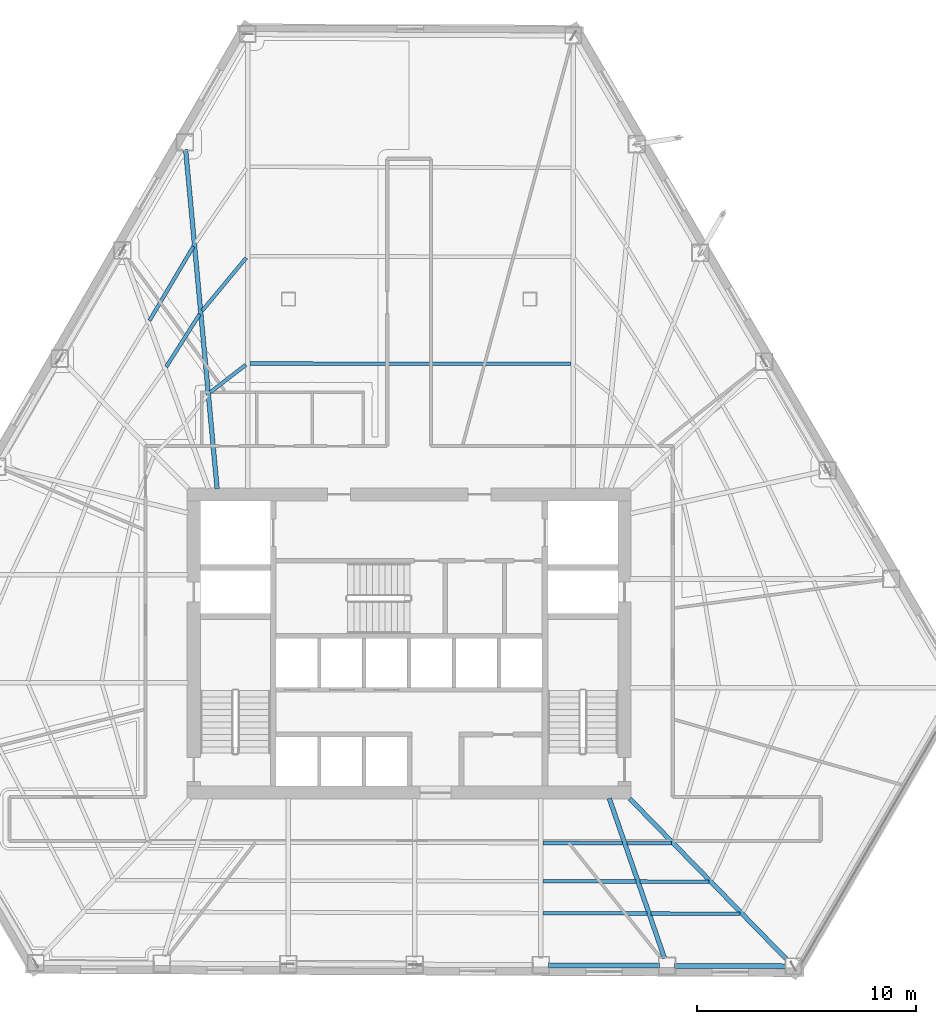
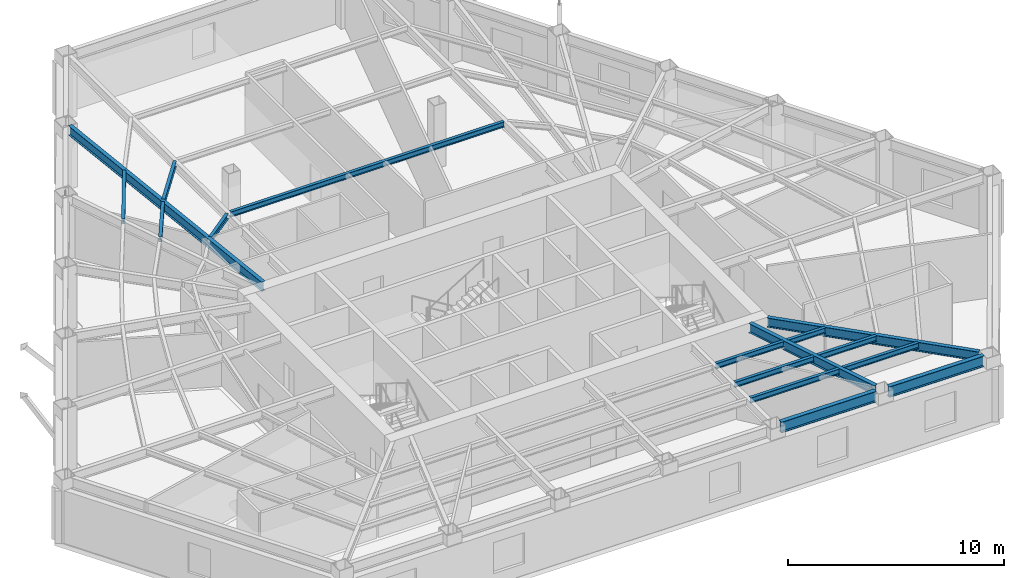
# One storey, part 2 of 14: 16 beams.
"""IFC4 building model written with IfcOpenShell, lengths in metres."""

from ifc_helpers import new_model, si_unit, direction, frame, origin, origin_2d, place, context, subcontext, project, spatial, i_section, extrude, material, material_profile, profile_set, type_object, element, save


model = new_model("IFC4")

# Units and contexts
model_context = context("Model", 3, precision=1e-05, world=origin(), true_north=direction((0.0, 1.0)))
body_context = subcontext(model_context, "Body", "Model", "MODEL_VIEW")
ifc_project = project(units=[si_unit("LENGTHUNIT", "METRE"), si_unit("AREAUNIT", "SQUARE_METRE"), si_unit("VOLUMEUNIT", "CUBIC_METRE"), si_unit("PLANEANGLEUNIT", "RADIAN"), si_unit("MASSUNIT", "GRAM", prefix="KILO")], contexts=[model_context])

# Site, building, storey
site_placement = place(None, origin())
site = spatial("IfcSite", under=ifc_project, at=site_placement, CompositionType="ELEMENT")
building_placement = place(site_placement, origin())
building = spatial("IfcBuilding", under=site, at=building_placement, Name="Kavelnor Concourse Tower", CompositionType="ELEMENT")
storey_placement = place(building_placement, frame((0.0, 0.0, 52.199951171875)))
storey = spatial("IfcBuildingStorey", under=building, at=storey_placement, Name="L13", CompositionType="ELEMENT", Elevation=52.199951171875)

# Beams
ifc_material = material(Name="Steel Grade 350", Category="steel")
ifc_material_profile_1 = material_profile(ifc_material, i_section(OverallWidth=0.166015625, OverallDepth=0.306884765625, WebThickness=0.006591796875, FlangeThickness=0.01171875, at=origin_2d()), Name="310UB46")
ifc_profile_set_1 = profile_set([ifc_material_profile_1], Name="Steel Grade 350")
beam_type_1 = type_object("IfcBeamType", Name="BM-JOIST-310", PredefinedType="JOIST", material=ifc_profile_set_1)
beam_1_placement = place(storey_placement, frame((44.102783203125, 7.0048828125, 3.4365234375), z_axis=(0.999997825779, -0.002085290771, 0.0), x_axis=(0.002085290771, 0.999997825779, 0.0)))
element("IfcBeam", 1, at=beam_1_placement, inside=storey, type_object=beam_type_1, Name="L13 Secondary Composite Joist 06-1", PredefinedType="JOIST", context=body_context, shape_type="SweptSolid", body=[
    extrude(i_section(OverallWidth=0.166015625, OverallDepth=0.306884765625, WebThickness=0.006591796875, FlangeThickness=0.01171875, at=origin_2d()), origin(), (0.0, 0.0, 1.0), 3.62939453125),
])
beam_2_placement = place(storey_placement, frame((44.102783203125, 5.260498046875, 3.4365234375), z_axis=(0.999995675766, -0.002940824557, 0.0), x_axis=(0.002940824557, 0.999995675766, 0.0)))
element("IfcBeam", 2, at=beam_2_placement, inside=storey, type_object=beam_type_1, Name="L13 Secondary Composite Joist 06-2", PredefinedType="JOIST", context=body_context, shape_type="SweptSolid", body=[
    extrude(i_section(OverallWidth=0.166015625, OverallDepth=0.306884765625, WebThickness=0.006591796875, FlangeThickness=0.01171875, at=origin_2d()), origin(), (0.0, 0.0, 1.0), 4.23388671875),
])
beam_3_placement = place(storey_placement, frame((44.102783203125, 3.806640625, 3.4365234375), z_axis=(0.999994039421, -0.003452697791, 0.0), x_axis=(0.003452697791, 0.999994039421, 0.0)))
element("IfcBeam", 3, at=beam_3_placement, inside=storey, type_object=beam_type_1, Name="L13 Secondary Composite Joist 06-3", PredefinedType="JOIST", context=body_context, shape_type="SweptSolid", body=[
    extrude(i_section(OverallWidth=0.166015625, OverallDepth=0.306884765625, WebThickness=0.006591796875, FlangeThickness=0.01171875, at=origin_2d()), origin(), (0.0, 0.0, 1.0), 4.737548828125),
])
beam_4_placement = place(storey_placement, frame((47.92919921875, 6.99658203125, 3.4365234375), z_axis=(0.99998775244, -0.004949239238, 0.0), x_axis=(0.004949239238, 0.99998775244, 0.0)))
element("IfcBeam", 4, at=beam_4_placement, inside=storey, type_object=beam_type_1, Name="L13 Secondary Composite Joist 07-1", PredefinedType="JOIST", context=body_context, shape_type="SweptSolid", body=[
    extrude(i_section(OverallWidth=0.166015625, OverallDepth=0.306884765625, WebThickness=0.006591796875, FlangeThickness=0.01171875, at=origin_2d()), origin(), (0.0, 0.0, 1.0), 2.0224609375),
])
beam_5_placement = place(storey_placement, frame((48.53369140625, 5.247314453125, 3.4365234375), z_axis=(0.999992978701, -0.003747338823, 0.0), x_axis=(0.003747338823, 0.999992978701, 0.0)))
element("IfcBeam", 5, at=beam_5_placement, inside=storey, type_object=beam_type_1, Name="L13 Secondary Composite Joist 07-2", PredefinedType="JOIST", context=body_context, shape_type="SweptSolid", body=[
    extrude(i_section(OverallWidth=0.166015625, OverallDepth=0.306884765625, WebThickness=0.006591796875, FlangeThickness=0.01171875, at=origin_2d()), origin(), (0.0, 0.0, 1.0), 3.127197265625),
])
beam_6_placement = place(storey_placement, frame((49.037353515625, 3.789794921875, 3.4365234375), z_axis=(0.999994696226, -0.003256918793, 0.0), x_axis=(0.003256918793, 0.999994696226, 0.0)))
element("IfcBeam", 6, at=beam_6_placement, inside=storey, type_object=beam_type_1, Name="L13 Secondary Composite Joist 07-3", PredefinedType="JOIST", context=body_context, shape_type="SweptSolid", body=[
    extrude(i_section(OverallWidth=0.166015625, OverallDepth=0.306884765625, WebThickness=0.006591796875, FlangeThickness=0.01171875, at=origin_2d()), origin(), (0.0, 0.0, 1.0), 4.0478515625),
])
beam_7_placement = place(storey_placement, frame((45.382568359375, 28.85009765625, 3.4365234375), z_axis=(-0.999999260035, 0.001216523839, 0.0), x_axis=(-0.001216523839, -0.999999260035, 0.0)))
element("IfcBeam", 7, at=beam_7_placement, inside=storey, type_object=beam_type_1, Name="L13 Secondary Composite Joist 15-1", PredefinedType="JOIST", context=body_context, shape_type="SweptSolid", body=[
    extrude(i_section(OverallWidth=0.166015625, OverallDepth=0.306884765625, WebThickness=0.006591796875, FlangeThickness=0.01171875, at=origin_2d()), origin(), (0.0, 0.0, 1.0), 14.650146484375),
])
beam_8_placement = place(storey_placement, frame((30.555908203125, 28.807861328125, 3.4365234375), z_axis=(-0.792170983595, -0.610299215754, 0.0), x_axis=(0.610299215754, -0.792170983595, 0.0)))
element("IfcBeam", 8, at=beam_8_placement, inside=storey, type_object=beam_type_1, Name="L13 Secondary Composite Joist 16-1", PredefinedType="JOIST", context=body_context, shape_type="SweptSolid", body=[
    extrude(i_section(OverallWidth=0.166015625, OverallDepth=0.306884765625, WebThickness=0.006591796875, FlangeThickness=0.01171875, at=origin_2d()), origin(), (0.0, 0.0, 1.0), 2.064697265625),
])
beam_9_placement = place(storey_placement, frame((30.57080078125, 33.684814453125, 3.4365234375), z_axis=(-0.640123209161, -0.768272267555, 0.0), x_axis=(0.768272267555, -0.640123209161, 0.0)))
element("IfcBeam", 9, at=beam_9_placement, inside=storey, type_object=beam_type_1, Name="L13 Secondary Composite Joist 16-2", PredefinedType="JOIST", context=body_context, shape_type="SweptSolid", body=[
    extrude(i_section(OverallWidth=0.166015625, OverallDepth=0.306884765625, WebThickness=0.006591796875, FlangeThickness=0.01171875, at=origin_2d()), origin(), (0.0, 0.0, 1.0), 3.1396484375),
])
beam_10_placement = place(storey_placement, frame((28.4453125, 31.11376953125, 3.4365234375), z_axis=(-0.53572303517, -0.844393764537, 0.0), x_axis=(0.844393764537, -0.53572303517, 0.0)))
element("IfcBeam", 10, at=beam_10_placement, inside=storey, type_object=beam_type_1, Name="L13 Secondary Composite Joist 17-2", PredefinedType="JOIST", context=body_context, shape_type="SweptSolid", body=[
    extrude(i_section(OverallWidth=0.166015625, OverallDepth=0.306884765625, WebThickness=0.006591796875, FlangeThickness=0.01171875, at=origin_2d()), origin(), (0.0, 0.0, 1.0), 2.838623046875),
])
beam_11_placement = place(storey_placement, frame((28.160888671875, 34.203369140625, 3.4365234375), z_axis=(-0.509194077299, -0.860651724941, 0.0), x_axis=(0.860651724941, -0.509194077299, 0.0)))
element("IfcBeam", 11, at=beam_11_placement, inside=storey, type_object=beam_type_1, Name="L13 Secondary Composite Joist 17-3", PredefinedType="JOIST", context=body_context, shape_type="SweptSolid", body=[
    extrude(i_section(OverallWidth=0.166015625, OverallDepth=0.306884765625, WebThickness=0.006591796875, FlangeThickness=0.01171875, at=origin_2d()), origin(), (0.0, 0.0, 1.0), 3.92822265625),
])
ifc_material_profile_2 = material_profile(ifc_material, i_section(OverallWidth=0.208984375, OverallDepth=0.528076171875, WebThickness=0.009521484375, FlangeThickness=0.01318359375, at=origin_2d()), Name="530UB82")
ifc_profile_set_2 = profile_set([ifc_material_profile_2], Name="Steel Grade 350")
beam_type_2 = type_object("IfcBeamType", Name="BM-PRIMARY-530", PredefinedType="BEAM", material=ifc_profile_set_2)
beam_12_placement = place(storey_placement, frame((29.244384765625, 23.16015625, 3.325927734375), z_axis=(-0.09246996717, 0.995715474004, 0.0), x_axis=(-0.995715474004, -0.09246996717, 0.0)))
element("IfcBeam", 12, at=beam_12_placement, inside=storey, type_object=beam_type_2, Name="L13 Primary Floor Girder F0-B1", PredefinedType="BEAM", context=body_context, shape_type="SweptSolid", body=[
    extrude(i_section(OverallWidth=0.208984375, OverallDepth=0.528076171875, WebThickness=0.009521484375, FlangeThickness=0.01318359375, at=origin_2d()), origin(), (0.0, 0.0, 1.0), 15.521728515625),
])
beam_13_placement = place(storey_placement, frame((47.125244140625, 9.037841796875, 3.325927734375), z_axis=(0.326627729198, -0.945153070417, 0.0), x_axis=(0.945153070417, 0.326627729198, 0.0)))
element("IfcBeam", 13, at=beam_13_placement, inside=storey, type_object=beam_type_2, Name="L13 Primary Floor Girder F1-B5", PredefinedType="BEAM", context=body_context, shape_type="SweptSolid", body=[
    extrude(i_section(OverallWidth=0.208984375, OverallDepth=0.528076171875, WebThickness=0.009521484375, FlangeThickness=0.01318359375, at=origin_2d()), origin(), (0.0, 0.0, 1.0), 7.71142578125),
])
beam_14_placement = place(storey_placement, frame((48.056396484375, 9.028564453125, 3.325927734375), z_axis=(0.698529717474, -0.715581046288, 0.0), x_axis=(0.715581046288, 0.698529717474, 0.0)))
element("IfcBeam", 14, at=beam_14_placement, inside=storey, type_object=beam_type_2, Name="L13 Primary Floor Girder F1-B6", PredefinedType="BEAM", context=body_context, shape_type="SweptSolid", body=[
    extrude(i_section(OverallWidth=0.208984375, OverallDepth=0.528076171875, WebThickness=0.009521484375, FlangeThickness=0.01318359375, at=origin_2d()), origin(), (0.0, 0.0, 1.0), 10.1943359375),
])
ifc_material_profile_3 = material_profile(ifc_material, i_section(OverallWidth=0.22900390625, OverallDepth=0.612060546875, WebThickness=0.011962890625, FlangeThickness=0.01953125, at=origin_2d()), Name="610UB125")
ifc_profile_set_3 = profile_set([ifc_material_profile_3], Name="Steel Grade 350")
beam_type_3 = type_object("IfcBeamType", Name="BM-SPANDREL-Z1", PredefinedType="SPANDREL", material=ifc_profile_set_3)
beam_15_placement = place(storey_placement, frame((44.34912109375, 1.430419921875, 3.283935546875), z_axis=(0.999990810554, -0.004287051163, 0.0), x_axis=(0.004287051163, 0.999990810554, 0.0)))
element("IfcBeam", 15, at=beam_15_placement, inside=storey, type_object=beam_type_3, Name="L13 Perimeter Tube Spandrel Beam F1-B4", PredefinedType="SPANDREL", context=body_context, shape_type="SweptSolid", body=[
    extrude(i_section(OverallWidth=0.22900390625, OverallDepth=0.612060546875, WebThickness=0.011962890625, FlangeThickness=0.01953125, at=origin_2d()), origin(), (0.0, 0.0, 1.0), 5.068359375),
])
beam_16_placement = place(storey_placement, frame((50.107421875, 1.405517578125, 3.283935546875), z_axis=(0.999990809669, -0.004287257674, 0.0), x_axis=(0.004287257674, 0.999990809669, 0.0)))
element("IfcBeam", 16, at=beam_16_placement, inside=storey, type_object=beam_type_3, Name="L13 Perimeter Tube Spandrel Beam F1-B5", PredefinedType="SPANDREL", context=body_context, shape_type="SweptSolid", body=[
    extrude(i_section(OverallWidth=0.22900390625, OverallDepth=0.612060546875, WebThickness=0.011962890625, FlangeThickness=0.01953125, at=origin_2d()), origin(), (0.0, 0.0, 1.0), 5.068115234375),
])

save(model, "model.ifc")
